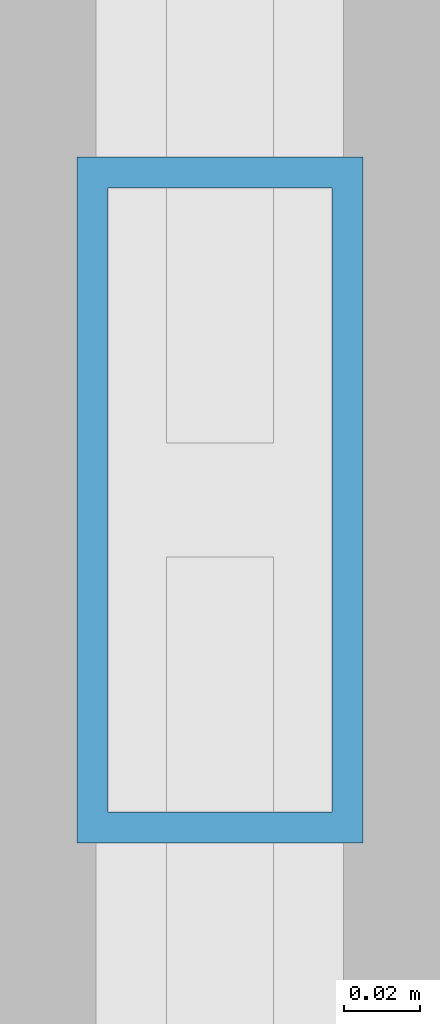
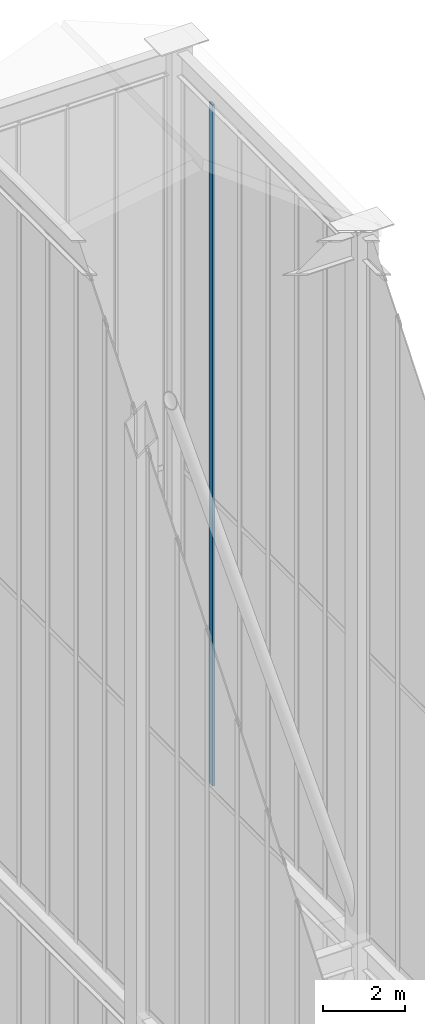
# One storey, part 116 of 135: 1 member, 1 element without a shape of its own.
"""IFC4 building model written with IfcOpenShell, lengths in metres."""

from ifc_helpers import new_model, si_unit, direction, frame, origin, origin_2d, place, context, subcontext, project, spatial, hollow_rectangle, extrude, source, transform, mapped, material, layer, layer_set, material_profile, profile_set, type_object, element, aggregate, save


model = new_model("IFC4")

# Units and contexts
model_context = context("Model", 3, precision=1e-05, world=origin(), true_north=direction((0.0, 1.0)))
body_context = subcontext(model_context, "Body", "Model", "MODEL_VIEW")
ifc_project = project(units=[si_unit("LENGTHUNIT", "METRE"), si_unit("AREAUNIT", "SQUARE_METRE"), si_unit("VOLUMEUNIT", "CUBIC_METRE"), si_unit("PLANEANGLEUNIT", "RADIAN"), si_unit("MASSUNIT", "GRAM", prefix="KILO")], contexts=[model_context])

# Site, building, storey
site_placement = place(None, origin())
site = spatial("IfcSite", under=ifc_project, at=site_placement, CompositionType="ELEMENT")
building_placement = place(site_placement, origin())
building = spatial("IfcBuilding", under=site, at=building_placement, Name="Giltprow Tower", CompositionType="ELEMENT")
storey_placement = place(building_placement, frame((0.0, 0.0, 352.699951171875)))
storey = spatial("IfcBuildingStorey", under=building, at=storey_placement, Name="L92", CompositionType="ELEMENT", Elevation=352.699951171875)

# Curtain wall, member
ifc_material = material(Name="Anodized bronze", Category="metal")
ifc_layer = layer(ifc_material, 0.179931640625, Name="Anodized bronze")
ifc_layer_set = layer_set([ifc_layer], Name="Anodized bronze")
curtain_wall_type = type_object("IfcCurtainWallType", Name="CW-CROWN-LANTERN", PredefinedType="NOTDEFINED", material=ifc_layer_set)
curtain_wall_placement = place(storey_placement, origin())
curtain_wall = element("IfcCurtainWall", 1, at=curtain_wall_placement, inside=storey, type_object=curtain_wall_type, Name="Crown East Upper Lantern Glazing 3", PredefinedType="NOTDEFINED")
ifc_material_profile = material_profile(ifc_material, hollow_rectangle(XDim=0.074951171875, YDim=0.179931640625, WallThickness=0.008056640625, at=origin_2d()), Name="RHS 180x75x8")
ifc_profile_set = profile_set([ifc_material_profile], Name="Anodized bronze")
member_type = type_object("IfcMemberType", Name="CW-MULLION-180x75", PredefinedType="MULLION", material=ifc_profile_set)
shared_shape = source(origin(), body_context, "Body", "SweptSolid", [
    extrude(hollow_rectangle(XDim=0.074951171875, YDim=0.179931640625, WallThickness=0.008056640625, at=origin_2d()), origin(), (0.0, 0.0, 1.0), 20.406005859375),
])
member_placement = place(storey_placement, frame((50.550048828125, 44.800048828125, 17.25), z_axis=(0.0, 0.0, 1.0), x_axis=(1.0, 0.0, 0.0)))
member = element("IfcMember", 2, at=member_placement, type_object=member_type, Name="Crown East Upper Lantern Glazing 3 Mullion 6", PredefinedType="MULLION", context=body_context, shape_type="MappedRepresentation", body=[
    mapped(shared_shape, transform((0.0, 0.0, 0.0), x_axis=(1.0, 0.0, 0.0), y_axis=(0.0, 1.0, 0.0), z_axis=(0.0, 0.0, 1.0), scale=1.0)),
])
aggregate(curtain_wall, [member])

save(model, "model.ifc")
